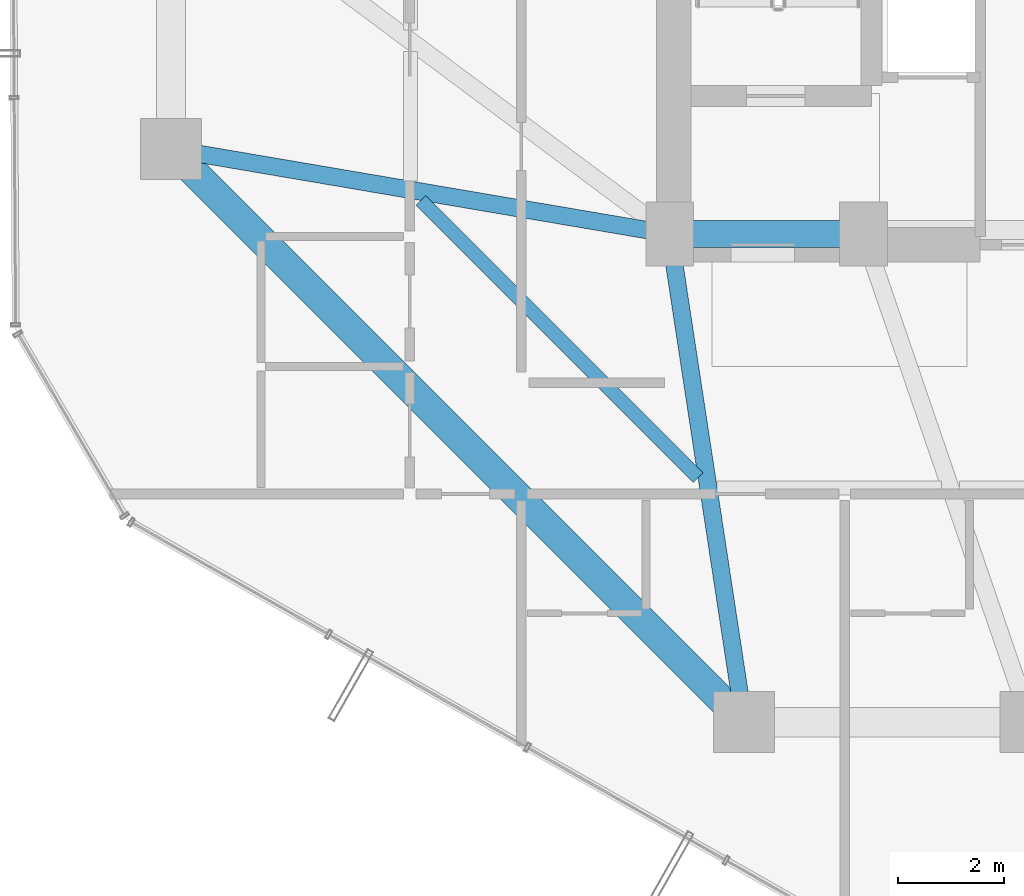
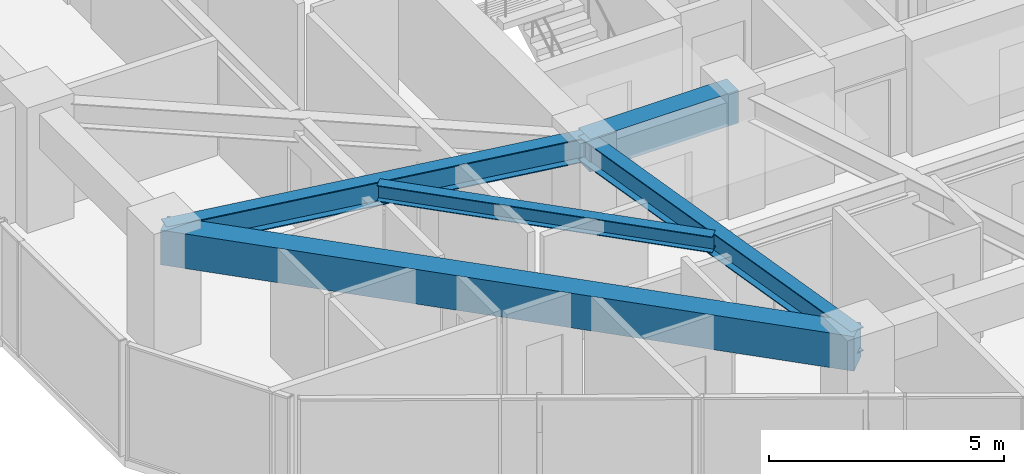
# One storey, part 5 of 30: 5 beams.
"""IFC4 building model written with IfcOpenShell, lengths in metres."""

from ifc_helpers import new_model, si_unit, direction, frame, origin, origin_2d, place, context, subcontext, project, spatial, rectangle, i_section, extrude, material, material_profile, profile_set, type_object, element, save


model = new_model("IFC4")

# Units and contexts
model_context = context("Model", 3, precision=1e-05, world=origin(), true_north=direction((0.0, 1.0)))
body_context = subcontext(model_context, "Body", "Model", "MODEL_VIEW")
ifc_project = project(units=[si_unit("LENGTHUNIT", "METRE"), si_unit("AREAUNIT", "SQUARE_METRE"), si_unit("VOLUMEUNIT", "CUBIC_METRE"), si_unit("PLANEANGLEUNIT", "RADIAN"), si_unit("MASSUNIT", "GRAM", prefix="KILO")], contexts=[model_context])

# Site, building, storey
site_placement = place(None, origin())
site = spatial("IfcSite", under=ifc_project, at=site_placement, CompositionType="ELEMENT")
building_placement = place(site_placement, origin())
building = spatial("IfcBuilding", under=site, at=building_placement, Name="Veraguas Prism Commons", CompositionType="ELEMENT")
storey_placement = place(building_placement, frame((0.0, 0.0, 129.5)))
storey = spatial("IfcBuildingStorey", under=building, at=storey_placement, Name="L36", CompositionType="ELEMENT", Elevation=129.5)

# Beams
ifc_material_1 = material(Name="Concrete C50/60", Category="concrete")
ifc_material_profile_1 = material_profile(ifc_material_1, rectangle(XDim=0.5, YDim=0.85009765625, at=origin_2d()), Name="RC500X850")
ifc_profile_set_1 = profile_set([ifc_material_profile_1], Name="Concrete C50/60")
beam_type_1 = type_object("IfcBeamType", Name="Core Coupling Beam RC 500x850", PredefinedType="BEAM", material=ifc_profile_set_1)
beam_1_placement = place(storey_placement, frame((17.199951171875, 17.0, 2.574951171875), z_axis=(1.0, 0.0, 0.0), x_axis=(0.0, 1.0, 0.0)))
element("IfcBeam", 1, at=beam_1_placement, inside=storey, type_object=beam_type_1, Name="Core Coupling Beam L36-CRS1", PredefinedType="BEAM", context=body_context, shape_type="SweptSolid", body=[
    extrude(rectangle(XDim=0.5, YDim=0.85009765625, at=origin_2d()), origin(), (0.0, 0.0, 1.0), 3.650146484375),
])
ifc_material_2 = material(Name="Steel ASTM A992 Grade 50", Category="steel")
ifc_material_profile_2 = material_profile(ifc_material_2, i_section(OverallWidth=0.260986328125, OverallDepth=0.419921875, WebThickness=0.01171875, FlangeThickness=0.019287109375, at=origin_2d()), Name="W410X114")
ifc_profile_set_2 = profile_set([ifc_material_profile_2], Name="Steel ASTM A992 Grade 50")
beam_type_2 = type_object("IfcBeamType", Name="Lower Floor Joist W410x114", PredefinedType="JOIST", material=ifc_profile_set_2)
beam_2_placement = place(storey_placement, frame((12.510009765625, 17.634033203125, 2.7900390625), z_axis=(0.707090260193, -0.707123301794, 0.0), x_axis=(0.707123301794, 0.707090260193, 0.0)))
element("IfcBeam", 2, at=beam_2_placement, inside=storey, type_object=beam_type_2, Name="Composite Floor Joist L36-JS09", PredefinedType="JOIST", context=body_context, shape_type="SweptSolid", body=[
    extrude(i_section(OverallWidth=0.260986328125, OverallDepth=0.419921875, WebThickness=0.01171875, FlangeThickness=0.019287109375, at=origin_2d()), origin(), (0.0, 0.0, 1.0), 7.388916015625),
])
ifc_material_profile_3 = material_profile(ifc_material_1, rectangle(XDim=0.550048828125, YDim=0.89990234375, at=origin_2d()), Name="RC550X900")
ifc_profile_set_3 = profile_set([ifc_material_profile_3], Name="Concrete C50/60")
beam_type_3 = type_object("IfcBeamType", Name="Perimeter Spandrel Lower RC 550x900", PredefinedType="SPANDREL", material=ifc_profile_set_3)
beam_3_placement = place(storey_placement, frame((7.800048828125, 18.60009765625, 2.550048828125), z_axis=(0.707106781187, -0.707106781187, 0.0), x_axis=(0.707106781187, 0.707106781187, 0.0)))
element("IfcBeam", 3, at=beam_3_placement, inside=storey, type_object=beam_type_3, Name="Perimeter Spandrel Beam L36-SP09", PredefinedType="SPANDREL", context=body_context, shape_type="SweptSolid", body=[
    extrude(rectangle(XDim=0.550048828125, YDim=0.89990234375, at=origin_2d()), origin(), (0.0, 0.0, 1.0), 15.273681640625),
])
ifc_material_profile_4 = material_profile(ifc_material_2, i_section(OverallWidth=0.327880859375, OverallDepth=0.6220703125, WebThickness=0.015380859375, FlangeThickness=0.0244140625, at=origin_2d()), Name="W610X195")
ifc_profile_set_4 = profile_set([ifc_material_profile_4], Name="Steel ASTM A992 Grade 50")
beam_type_4 = type_object("IfcBeamType", Name="Zone 2 Radial Girder W610x195", PredefinedType="BEAM", material=ifc_profile_set_4)
beam_4_placement = place(storey_placement, frame((7.800048828125, 18.60009765625, 2.68896484375), z_axis=(0.985819187151, -0.1678109956, 0.0), x_axis=(0.1678109956, 0.985819187151, 0.0)))
element("IfcBeam", 4, at=beam_4_placement, inside=storey, type_object=beam_type_4, Name="Radial Floor Girder L36-RD09", PredefinedType="BEAM", context=body_context, shape_type="SweptSolid", body=[
    extrude(i_section(OverallWidth=0.327880859375, OverallDepth=0.6220703125, WebThickness=0.015380859375, FlangeThickness=0.0244140625, at=origin_2d()), origin(), (0.0, 0.0, 1.0), 9.53515625),
])
beam_5_placement = place(storey_placement, frame((18.60009765625, 7.800048828125, 2.68896484375), z_axis=(-0.150458162136, 0.98861637729, 0.0), x_axis=(-0.98861637729, -0.150458162136, 0.0)))
element("IfcBeam", 5, at=beam_5_placement, inside=storey, type_object=beam_type_4, Name="Radial Floor Girder L36-RD10", PredefinedType="BEAM", context=body_context, shape_type="SweptSolid", body=[
    extrude(i_section(OverallWidth=0.327880859375, OverallDepth=0.6220703125, WebThickness=0.015380859375, FlangeThickness=0.0244140625, at=origin_2d()), origin(), (0.0, 0.0, 1.0), 9.305908203125),
])

save(model, "model.ifc")
